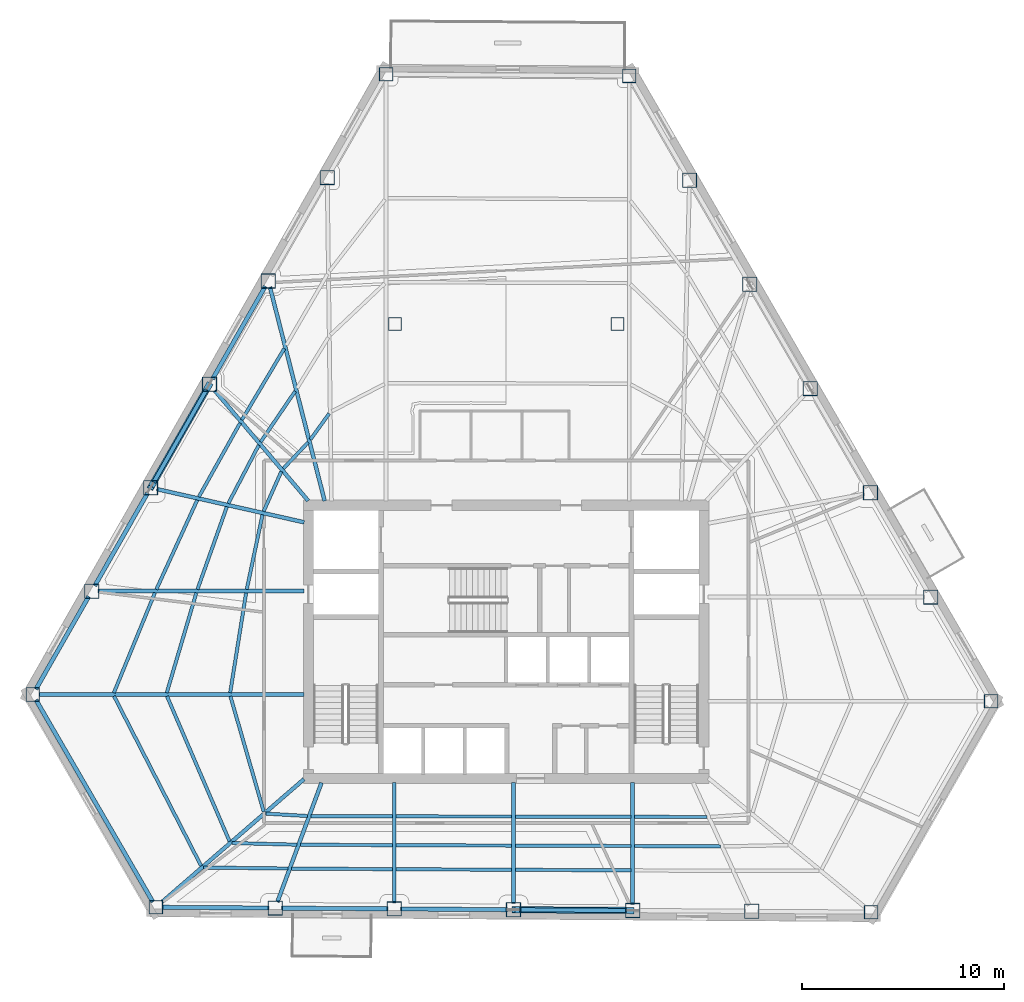
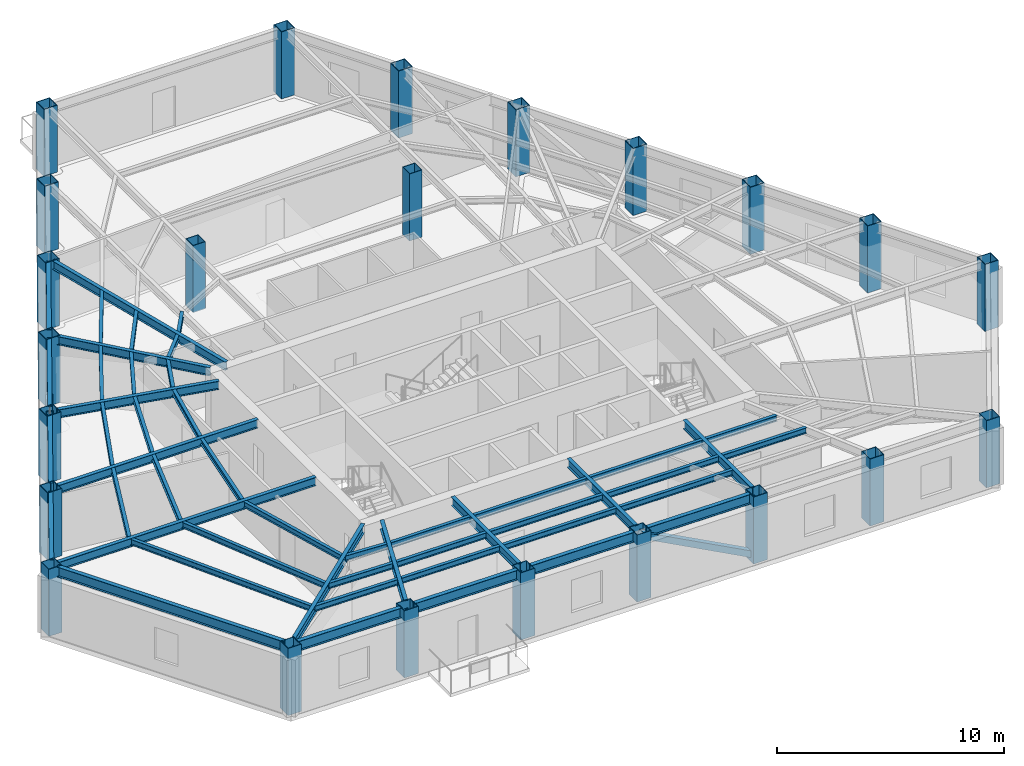
# One storey, part 1 of 9: 49 beams, 23 columns, 2 members.
"""IFC4 building model written with IfcOpenShell, lengths in metres."""

from ifc_helpers import new_model, si_unit, direction, frame, origin, origin_2d, place, context, subcontext, project, spatial, hollow_rectangle, i_section, extrude, material, material_profile, profile_set, type_object, element, save


model = new_model("IFC4")

# Units and contexts
model_context = context("Model", 3, precision=1e-05, world=origin(), true_north=direction((0.0, 1.0)))
body_context = subcontext(model_context, "Body", "Model", "MODEL_VIEW")
ifc_project = project(units=[si_unit("LENGTHUNIT", "METRE"), si_unit("AREAUNIT", "SQUARE_METRE"), si_unit("VOLUMEUNIT", "CUBIC_METRE"), si_unit("PLANEANGLEUNIT", "RADIAN"), si_unit("MASSUNIT", "GRAM", prefix="KILO")], contexts=[model_context])

# Site, building, storey
site_placement = place(None, origin())
site = spatial("IfcSite", under=ifc_project, at=site_placement, CompositionType="ELEMENT")
building_placement = place(site_placement, origin())
building = spatial("IfcBuilding", under=site, at=building_placement, Name="Kavelnor Concourse Tower", CompositionType="ELEMENT")
storey_placement = place(building_placement, frame((0.0, 0.0, 112.449951171875)))
storey = spatial("IfcBuildingStorey", under=building, at=storey_placement, Name="L28", CompositionType="ELEMENT", Elevation=112.449951171875)

# Columns
ifc_material = material(Name="Steel Grade 350", Category="steel")
ifc_material_profile_1 = material_profile(ifc_material, hollow_rectangle(XDim=0.679931640625, YDim=0.679931640625, WallThickness=0.030029296875, at=origin_2d()), Name="SHS 680x680x30")
ifc_profile_set_1 = profile_set([ifc_material_profile_1], Name="Steel Grade 350")
column_type_1 = type_object("IfcColumnType", Name="COL-FOLD-Z2", PredefinedType="COLUMN", material=ifc_profile_set_1)
for number, where, z_axis, x_axis, name in (
    (1, (32.068603515625, 44.144775390625, 0.0), (0.0, 0.0, 1.0), (1.0, 0.0, 0.0), "L28 Perimeter Corner-Fold Column F0-B0"),
    (2, (14.6142578125, 13.498046875, 0.0), (0.0, 0.0, 1.0), (1.0, 0.0, 0.0), "L28 Perimeter Corner-Fold Column F0-B6"),
    (3, (20.69677734375, 2.986083984375, 0.0), (0.0, 0.0, 1.0), (1.0, 0.0, 0.0), "L28 Perimeter Corner-Fold Column F1-B0"),
    (4, (56.02587890625, 2.744384765625, 0.0), (0.0, 0.0, 1.0), (1.0, 0.0, 0.0), "L28 Perimeter Corner-Fold Column F1-B6"),
    (5, (61.95947265625, 13.162841796875, 0.0), (0.0, 0.0, 1.0), (1.0, 0.0, 0.0), "L28 Perimeter Corner-Fold Column F2-B0"),
    (6, (44.080078125, 44.0625, 0.0), (0.0, 0.0, 1.0), (1.0, 0.0, 0.0), "L28 Perimeter Corner-Fold Column F2-B6"),
):
    element("IfcColumn", number, at=place(storey_placement, frame(where, z_axis=z_axis, x_axis=x_axis)), inside=storey, type_object=column_type_1, Name=name, PredefinedType="COLUMN", context=body_context, shape_type="SweptSolid", body=[
        extrude(hollow_rectangle(XDim=0.679931640625, YDim=0.679931640625, WallThickness=0.030029296875, at=origin_2d()), origin(), (0.0, 0.0, 1.0), 3.60009765625),
    ])
ifc_material_profile_2 = material_profile(ifc_material, hollow_rectangle(XDim=0.719970703125, YDim=0.719970703125, WallThickness=0.031982421875, at=origin_2d()), Name="SHS 720x720x32")
ifc_profile_set_2 = profile_set([ifc_material_profile_2], Name="Steel Grade 350")
column_type_2 = type_object("IfcColumnType", Name="COL-TUBE-Z2", PredefinedType="COLUMN", material=ifc_profile_set_2)
for number, where, z_axis, x_axis, name in (
    (7, (29.15966796875, 39.037109375, 0.0), (0.0, 0.0, 1.0), (1.0, 0.0, 0.0), "L28 Perimeter Framed-Tube Column F0-B1"),
    (8, (26.25048828125, 33.92919921875, 0.0), (0.0, 0.0, 1.0), (1.0, 0.0, 0.0), "L28 Perimeter Framed-Tube Column F0-B2"),
    (9, (23.341552734375, 28.8212890625, 0.0), (0.0, 0.0, 1.0), (1.0, 0.0, 0.0), "L28 Perimeter Framed-Tube Column F0-B3"),
    (10, (20.432373046875, 23.713623046875, 0.0), (0.0, 0.0, 1.0), (1.0, 0.0, 0.0), "L28 Perimeter Framed-Tube Column F0-B4"),
    (11, (17.5234375, 18.605712890625, 0.0), (0.0, 0.0, 1.0), (1.0, 0.0, 0.0), "L28 Perimeter Framed-Tube Column F0-B5"),
    (12, (26.5849609375, 2.94580078125, 0.0), (0.0, 0.0, 1.0), (1.0, 0.0, 0.0), "L28 Perimeter Framed-Tube Column F1-B1"),
    (13, (32.47314453125, 2.905517578125, 0.0), (0.0, 0.0, 1.0), (1.0, 0.0, 0.0), "L28 Perimeter Framed-Tube Column F1-B2"),
    (14, (38.361328125, 2.865234375, 0.0), (0.0, 0.0, 1.0), (1.0, 0.0, 0.0), "L28 Perimeter Framed-Tube Column F1-B3"),
    (15, (44.24951171875, 2.824951171875, 0.0), (0.0, 0.0, 1.0), (1.0, 0.0, 0.0), "L28 Perimeter Framed-Tube Column F1-B4"),
    (16, (50.1376953125, 2.78466796875, 0.0), (0.0, 0.0, 1.0), (1.0, 0.0, 0.0), "L28 Perimeter Framed-Tube Column F1-B5"),
    (17, (58.9794921875, 18.31298828125, 0.0), (0.0, 0.0, 1.0), (1.0, 0.0, 0.0), "L28 Perimeter Framed-Tube Column F2-B1"),
    (18, (55.999755859375, 23.462890625, 0.0), (0.0, 0.0, 1.0), (1.0, 0.0, 0.0), "L28 Perimeter Framed-Tube Column F2-B2"),
    (19, (53.019775390625, 28.61279296875, 0.0), (0.0, 0.0, 1.0), (1.0, 0.0, 0.0), "L28 Perimeter Framed-Tube Column F2-B3"),
    (20, (50.0400390625, 33.7626953125, 0.0), (0.0, 0.0, 1.0), (1.0, 0.0, 0.0), "L28 Perimeter Framed-Tube Column F2-B4"),
    (21, (47.06005859375, 38.91259765625, 0.0), (0.0, 0.0, 1.0), (1.0, 0.0, 0.0), "L28 Perimeter Framed-Tube Column F2-B5"),
):
    element("IfcColumn", number, at=place(storey_placement, frame(where, z_axis=z_axis, x_axis=x_axis)), inside=storey, type_object=column_type_2, Name=name, PredefinedType="COLUMN", context=body_context, shape_type="SweptSolid", body=[
        extrude(hollow_rectangle(XDim=0.719970703125, YDim=0.719970703125, WallThickness=0.031982421875, at=origin_2d()), origin(), (0.0, 0.0, 1.0), 3.60009765625),
    ])
ifc_material_profile_3 = material_profile(ifc_material, hollow_rectangle(XDim=0.639892578125, YDim=0.639892578125, WallThickness=0.028076171875, at=origin_2d()), Name="SHS 640x640x28")
ifc_profile_set_3 = profile_set([ifc_material_profile_3], Name="Steel Grade 350")
column_type_3 = type_object("IfcColumnType", Name="COL-TUBE-Z3", PredefinedType="COLUMN", material=ifc_profile_set_3)
for number, where, z_axis, x_axis, name in (
    (22, (32.5, 31.800048828125, 0.0), (0.0, 0.0, 1.0), (1.0, 0.0, 0.0), "L28 North Interior Gravity Column BC-NW"),
    (23, (43.5, 31.800048828125, 0.0), (0.0, 0.0, 1.0), (1.0, 0.0, 0.0), "L28 North Interior Gravity Column BC-NE"),
):
    element("IfcColumn", number, at=place(storey_placement, frame(where, z_axis=z_axis, x_axis=x_axis)), inside=storey, type_object=column_type_3, Name=name, PredefinedType="COLUMN", context=body_context, shape_type="SweptSolid", body=[
        extrude(hollow_rectangle(XDim=0.639892578125, YDim=0.639892578125, WallThickness=0.028076171875, at=origin_2d()), origin(), (0.0, 0.0, 1.0), 3.60009765625),
    ])

# Beams
ifc_material_profile_4 = material_profile(ifc_material, i_section(OverallWidth=0.166015625, OverallDepth=0.306884765625, WebThickness=0.006591796875, FlangeThickness=0.01171875, at=origin_2d()), Name="310UB46")
ifc_profile_set_4 = profile_set([ifc_material_profile_4], Name="Steel Grade 350")
beam_type_1 = type_object("IfcBeamType", Name="BM-JOIST-310", PredefinedType="JOIST", material=ifc_profile_set_4)
beam_1_placement = place(storey_placement, frame((24.375, 13.41259765625, 3.446533203125), z_axis=(0.277541337991, -0.960713696013, 0.0), x_axis=(0.960713696013, 0.277541337991, 0.0)))
element("IfcBeam", 24, at=beam_1_placement, inside=storey, type_object=beam_type_1, Name="L28 Secondary Composite Joist 01-1", PredefinedType="JOIST", context=body_context, shape_type="SweptSolid", body=[
    extrude(i_section(OverallWidth=0.166015625, OverallDepth=0.306884765625, WebThickness=0.006591796875, FlangeThickness=0.01171875, at=origin_2d()), origin(), (0.0, 0.0, 1.0), 5.94287109375),
])
beam_2_placement = place(storey_placement, frame((21.240234375, 13.416259765625, 3.446533203125), z_axis=(0.396008423947, -0.918246877568, 0.0), x_axis=(0.918246877568, 0.396008423947, 0.0)))
element("IfcBeam", 25, at=beam_2_placement, inside=storey, type_object=beam_type_1, Name="L28 Secondary Composite Joist 01-2", PredefinedType="JOIST", context=body_context, shape_type="SweptSolid", body=[
    extrude(i_section(OverallWidth=0.166015625, OverallDepth=0.306884765625, WebThickness=0.006591796875, FlangeThickness=0.01171875, at=origin_2d()), origin(), (0.0, 0.0, 1.0), 7.809814453125),
])
beam_3_placement = place(storey_placement, frame((18.62451171875, 13.418701171875, 3.446533203125), z_axis=(0.456378159677, -0.889785915471, 0.0), x_axis=(0.889785915471, 0.456378159677, 0.0)))
element("IfcBeam", 26, at=beam_3_placement, inside=storey, type_object=beam_type_1, Name="L28 Secondary Composite Joist 01-3", PredefinedType="JOIST", context=body_context, shape_type="SweptSolid", body=[
    extrude(i_section(OverallWidth=0.166015625, OverallDepth=0.306884765625, WebThickness=0.006591796875, FlangeThickness=0.01171875, at=origin_2d()), origin(), (0.0, 0.0, 1.0), 9.427490234375),
])
beam_4_placement = place(storey_placement, frame((26.137939453125, 7.612548828125, 3.446533203125), z_axis=(0.99830433041, -0.058210513519, 0.0), x_axis=(0.058210513519, 0.99830433041, 0.0)))
element("IfcBeam", 27, at=beam_4_placement, inside=storey, type_object=beam_type_1, Name="L28 Secondary Composite Joist 02-1", PredefinedType="JOIST", context=body_context, shape_type="SweptSolid", body=[
    extrude(i_section(OverallWidth=0.166015625, OverallDepth=0.306884765625, WebThickness=0.006591796875, FlangeThickness=0.01171875, at=origin_2d()), origin(), (0.0, 0.0, 1.0), 2.04248046875),
])
beam_5_placement = place(storey_placement, frame((24.457275390625, 6.160888671875, 3.446533203125), z_axis=(0.999659025649, -0.026111921391, 0.0), x_axis=(0.026111921391, 0.999659025649, 0.0)))
element("IfcBeam", 28, at=beam_5_placement, inside=storey, type_object=beam_type_1, Name="L28 Secondary Composite Joist 02-2", PredefinedType="JOIST", context=body_context, shape_type="SweptSolid", body=[
    extrude(i_section(OverallWidth=0.166015625, OverallDepth=0.306884765625, WebThickness=0.006591796875, FlangeThickness=0.01171875, at=origin_2d()), origin(), (0.0, 0.0, 1.0), 3.197509765625),
])
beam_6_placement = place(storey_placement, frame((23.056640625, 4.949951171875, 3.446533203125), z_axis=(0.999922661217, -0.012436703091, 0.0), x_axis=(0.012436703091, 0.999922661217, 0.0)))
element("IfcBeam", 29, at=beam_6_placement, inside=storey, type_object=beam_type_1, Name="L28 Secondary Composite Joist 02-3", PredefinedType="JOIST", context=body_context, shape_type="SweptSolid", body=[
    extrude(i_section(OverallWidth=0.166015625, OverallDepth=0.306884765625, WebThickness=0.006591796875, FlangeThickness=0.01171875, at=origin_2d()), origin(), (0.0, 0.0, 1.0), 4.16162109375),
])
beam_7_placement = place(storey_placement, frame((28.354736328125, 7.48828125, 3.446533203125), z_axis=(0.999997063317, -0.002423500911, 0.0), x_axis=(0.002423500911, 0.999997063317, 0.0)))
element("IfcBeam", 30, at=beam_7_placement, inside=storey, type_object=beam_type_1, Name="L28 Secondary Composite Joist 03-1", PredefinedType="JOIST", context=body_context, shape_type="SweptSolid", body=[
    extrude(i_section(OverallWidth=0.166015625, OverallDepth=0.306884765625, WebThickness=0.006591796875, FlangeThickness=0.01171875, at=origin_2d()), origin(), (0.0, 0.0, 1.0), 4.029541015625),
])
beam_8_placement = place(storey_placement, frame((27.831787109375, 6.07470703125, 3.446533203125), z_axis=(0.999990093921, -0.004451074049, 0.0), x_axis=(0.004451074049, 0.999990093921, 0.0)))
element("IfcBeam", 31, at=beam_8_placement, inside=storey, type_object=beam_type_1, Name="L28 Secondary Composite Joist 03-2", PredefinedType="JOIST", context=body_context, shape_type="SweptSolid", body=[
    extrude(i_section(OverallWidth=0.166015625, OverallDepth=0.306884765625, WebThickness=0.006591796875, FlangeThickness=0.01171875, at=origin_2d()), origin(), (0.0, 0.0, 1.0), 4.552490234375),
])
beam_9_placement = place(storey_placement, frame((27.39599609375, 4.896728515625, 3.446533203125), z_axis=(0.999983039794, -0.005824098558, 0.0), x_axis=(0.005824098558, 0.999983039794, 0.0)))
element("IfcBeam", 32, at=beam_9_placement, inside=storey, type_object=beam_type_1, Name="L28 Secondary Composite Joist 03-3", PredefinedType="JOIST", context=body_context, shape_type="SweptSolid", body=[
    extrude(i_section(OverallWidth=0.166015625, OverallDepth=0.306884765625, WebThickness=0.006591796875, FlangeThickness=0.01171875, at=origin_2d()), origin(), (0.0, 0.0, 1.0), 4.98828125),
])
for number, where, z_axis, x_axis, name in (
    (33, (32.562255859375, 7.478271484375, 3.446533203125), (0.999998149153, -0.001923977798, 0.0), (0.001923977798, 0.999998149153, 0.0), "L28 Secondary Composite Joist 04-1"),
    (34, (32.562255859375, 6.0537109375, 3.446533203125), (0.999993703506, -0.003548654384, 0.0), (0.003548654384, 0.999993703506, 0.0), "L28 Secondary Composite Joist 04-2"),
    (35, (32.562255859375, 4.86669921875, 3.446533203125), (0.999987912555, -0.004916781818, 0.0), (0.004916781818, 0.999987912555, 0.0), "L28 Secondary Composite Joist 04-3"),
):
    element("IfcBeam", number, at=place(storey_placement, frame(where, z_axis=z_axis, x_axis=x_axis)), inside=storey, type_object=beam_type_1, Name=name, PredefinedType="JOIST", context=body_context, shape_type="SweptSolid", body=[
        extrude(i_section(OverallWidth=0.166015625, OverallDepth=0.306884765625, WebThickness=0.006591796875, FlangeThickness=0.01171875, at=origin_2d()), origin(), (0.0, 0.0, 1.0), 5.710205078125),
    ])
for number, where, z_axis, x_axis, name in (
    (36, (38.450439453125, 7.466796875, 3.446533203125), (0.999998148995, -0.001924060061, 0.0), (0.001924060061, 0.999998148995, 0.0), "L28 Secondary Composite Joist 05-1"),
    (37, (38.450439453125, 6.03271484375, 3.446533203125), (0.999993702968, -0.003548806112, 0.0), (0.003548806112, 0.999993702968, 0.0), "L28 Secondary Composite Joist 05-2"),
    (38, (38.450439453125, 4.837646484375, 3.446533203125), (0.999987911522, -0.00491699204, 0.0), (0.00491699204, 0.999987911522, 0.0), "L28 Secondary Composite Joist 05-3"),
):
    element("IfcBeam", number, at=place(storey_placement, frame(where, z_axis=z_axis, x_axis=x_axis)), inside=storey, type_object=beam_type_1, Name=name, PredefinedType="JOIST", context=body_context, shape_type="SweptSolid", body=[
        extrude(i_section(OverallWidth=0.166015625, OverallDepth=0.306884765625, WebThickness=0.006591796875, FlangeThickness=0.01171875, at=origin_2d()), origin(), (0.0, 0.0, 1.0), 5.7099609375),
    ])
beam_10_placement = place(storey_placement, frame((44.33837890625, 7.45556640625, 3.446533203125), z_axis=(0.999993973532, -0.003471728567, 0.0), x_axis=(0.003471728567, 0.999993973532, 0.0)))
element("IfcBeam", 39, at=beam_10_placement, inside=storey, type_object=beam_type_1, Name="L28 Secondary Composite Joist 06-1", PredefinedType="JOIST", context=body_context, shape_type="SweptSolid", body=[
    extrude(i_section(OverallWidth=0.166015625, OverallDepth=0.306884765625, WebThickness=0.006591796875, FlangeThickness=0.01171875, at=origin_2d()), origin(), (0.0, 0.0, 1.0), 3.58642578125),
])
beam_11_placement = place(storey_placement, frame((44.33837890625, 6.01171875, 3.446533203125), z_axis=(0.999988896956, -0.00471232053, 0.0), x_axis=(0.00471232053, 0.999988896956, 0.0)))
element("IfcBeam", 40, at=beam_11_placement, inside=storey, type_object=beam_type_1, Name="L28 Secondary Composite Joist 06-2", PredefinedType="JOIST", context=body_context, shape_type="SweptSolid", body=[
    extrude(i_section(OverallWidth=0.166015625, OverallDepth=0.306884765625, WebThickness=0.006591796875, FlangeThickness=0.01171875, at=origin_2d()), origin(), (0.0, 0.0, 1.0), 4.248291015625),
])
beam_12_placement = place(storey_placement, frame((29.2548828125, 27.37744140625, 3.446533203125), z_axis=(-0.585439954123, -0.810715770241, 0.0), x_axis=(0.810715770241, -0.585439954123, 0.0)))
element("IfcBeam", 41, at=beam_12_placement, inside=storey, type_object=beam_type_1, Name="L28 Secondary Composite Joist 17-1", PredefinedType="JOIST", context=body_context, shape_type="SweptSolid", body=[
    extrude(i_section(OverallWidth=0.166015625, OverallDepth=0.306884765625, WebThickness=0.006591796875, FlangeThickness=0.01171875, at=origin_2d()), origin(), (0.0, 0.0, 1.0), 1.58544921875),
])
beam_13_placement = place(storey_placement, frame((28.21337890625, 25.955078125, 3.446533203125), z_axis=(-0.686848487013, -0.726800630082, 0.0), x_axis=(0.726800630082, -0.686848487013, 0.0)))
element("IfcBeam", 42, at=beam_13_placement, inside=storey, type_object=beam_type_1, Name="L28 Secondary Composite Joist 18-1", PredefinedType="JOIST", context=body_context, shape_type="SweptSolid", body=[
    extrude(i_section(OverallWidth=0.166015625, OverallDepth=0.306884765625, WebThickness=0.006591796875, FlangeThickness=0.01171875, at=origin_2d()), origin(), (0.0, 0.0, 1.0), 1.784423828125),
])
beam_14_placement = place(storey_placement, frame((27.57568359375, 28.482421875, 3.446533203125), z_axis=(-0.562362833705, -0.826890587241, 0.0), x_axis=(0.826890587241, -0.562362833705, 0.0)))
element("IfcBeam", 43, at=beam_14_placement, inside=storey, type_object=beam_type_1, Name="L28 Secondary Composite Joist 18-2", PredefinedType="JOIST", context=body_context, shape_type="SweptSolid", body=[
    extrude(i_section(OverallWidth=0.166015625, OverallDepth=0.306884765625, WebThickness=0.006591796875, FlangeThickness=0.01171875, at=origin_2d()), origin(), (0.0, 0.0, 1.0), 3.03466796875),
])
beam_15_placement = place(storey_placement, frame((27.039306640625, 30.5927734375, 3.446533203125), z_axis=(-0.511027887391, -0.859564132749, 0.0), x_axis=(0.859564132749, -0.511027887391, 0.0)))
element("IfcBeam", 44, at=beam_15_placement, inside=storey, type_object=beam_type_1, Name="L28 Secondary Composite Joist 18-3", PredefinedType="JOIST", context=body_context, shape_type="SweptSolid", body=[
    extrude(i_section(OverallWidth=0.166015625, OverallDepth=0.306884765625, WebThickness=0.006591796875, FlangeThickness=0.01171875, at=origin_2d()), origin(), (0.0, 0.0, 1.0), 4.104736328125),
])
beam_16_placement = place(storey_placement, frame((26.890380859375, 24.51220703125, 3.446533203125), z_axis=(-0.406780567752, -0.913525899852, 0.0), x_axis=(0.913525899852, -0.406780567752, 0.0)))
element("IfcBeam", 45, at=beam_16_placement, inside=storey, type_object=beam_type_1, Name="L28 Secondary Composite Joist 19-1", PredefinedType="JOIST", context=body_context, shape_type="SweptSolid", body=[
    extrude(i_section(OverallWidth=0.166015625, OverallDepth=0.306884765625, WebThickness=0.006591796875, FlangeThickness=0.01171875, at=origin_2d()), origin(), (0.0, 0.0, 1.0), 2.151611328125),
])
beam_17_placement = place(storey_placement, frame((25.77783203125, 25.82080078125, 3.446533203125), z_axis=(-0.463025095693, -0.886345170212, 0.0), x_axis=(0.886345170212, -0.463025095693, 0.0)))
element("IfcBeam", 46, at=beam_17_placement, inside=storey, type_object=beam_type_1, Name="L28 Secondary Composite Joist 19-2", PredefinedType="JOIST", context=body_context, shape_type="SweptSolid", body=[
    extrude(i_section(OverallWidth=0.166015625, OverallDepth=0.306884765625, WebThickness=0.006591796875, FlangeThickness=0.01171875, at=origin_2d()), origin(), (0.0, 0.0, 1.0), 3.252685546875),
])
beam_18_placement = place(storey_placement, frame((24.852783203125, 26.910400390625, 3.446533203125), z_axis=(-0.487533056643, -0.873104529069, 0.0), x_axis=(0.873104529069, -0.487533056643, 0.0)))
element("IfcBeam", 47, at=beam_18_placement, inside=storey, type_object=beam_type_1, Name="L28 Secondary Composite Joist 19-3", PredefinedType="JOIST", context=body_context, shape_type="SweptSolid", body=[
    extrude(i_section(OverallWidth=0.166015625, OverallDepth=0.306884765625, WebThickness=0.006591796875, FlangeThickness=0.01171875, at=origin_2d()), origin(), (0.0, 0.0, 1.0), 4.17578125),
])
beam_19_placement = place(storey_placement, frame((25.960693359375, 22.37841796875, 3.446533203125), z_axis=(-0.206376328476, -0.97847269305, 0.0), x_axis=(0.97847269305, -0.206376328476, 0.0)))
element("IfcBeam", 48, at=beam_19_placement, inside=storey, type_object=beam_type_1, Name="L28 Secondary Composite Joist 20-1", PredefinedType="JOIST", context=body_context, shape_type="SweptSolid", body=[
    extrude(i_section(OverallWidth=0.166015625, OverallDepth=0.306884765625, WebThickness=0.006591796875, FlangeThickness=0.01171875, at=origin_2d()), origin(), (0.0, 0.0, 1.0), 3.7666015625),
])
beam_20_placement = place(storey_placement, frame((24.20068359375, 22.77490234375, 3.446533203125), z_axis=(-0.335134076346, -0.942170446826, 0.0), x_axis=(0.942170446826, -0.335134076346, 0.0)))
element("IfcBeam", 49, at=beam_20_placement, inside=storey, type_object=beam_type_1, Name="L28 Secondary Composite Joist 20-2", PredefinedType="JOIST", context=body_context, shape_type="SweptSolid", body=[
    extrude(i_section(OverallWidth=0.166015625, OverallDepth=0.306884765625, WebThickness=0.006591796875, FlangeThickness=0.01171875, at=origin_2d()), origin(), (0.0, 0.0, 1.0), 4.3359375),
])
beam_21_placement = place(storey_placement, frame((22.736328125, 23.10595703125, 3.446533203125), z_axis=(-0.415853559073, -0.909431590284, 0.0), x_axis=(0.909431590284, -0.415853559073, 0.0)))
element("IfcBeam", 50, at=beam_21_placement, inside=storey, type_object=beam_type_1, Name="L28 Secondary Composite Joist 20-3", PredefinedType="JOIST", context=body_context, shape_type="SweptSolid", body=[
    extrude(i_section(OverallWidth=0.166015625, OverallDepth=0.306884765625, WebThickness=0.006591796875, FlangeThickness=0.01171875, at=origin_2d()), origin(), (0.0, 0.0, 1.0), 4.859375),
])
beam_22_placement = place(storey_placement, frame((25.15087890625, 18.517822265625, 3.446533203125), z_axis=(-0.157458539374, -0.987525598847, 0.0), x_axis=(0.987525598847, -0.157458539374, 0.0)))
element("IfcBeam", 51, at=beam_22_placement, inside=storey, type_object=beam_type_1, Name="L28 Secondary Composite Joist 21-1", PredefinedType="JOIST", context=body_context, shape_type="SweptSolid", body=[
    extrude(i_section(OverallWidth=0.166015625, OverallDepth=0.306884765625, WebThickness=0.006591796875, FlangeThickness=0.01171875, at=origin_2d()), origin(), (0.0, 0.0, 1.0), 4.994140625),
])
beam_23_placement = place(storey_placement, frame((22.6923828125, 18.5205078125, 3.446533203125), z_axis=(-0.283957567104, -0.958836847479, 0.0), x_axis=(0.958836847479, -0.283957567104, 0.0)))
element("IfcBeam", 52, at=beam_23_placement, inside=storey, type_object=beam_type_1, Name="L28 Secondary Composite Joist 21-2", PredefinedType="JOIST", context=body_context, shape_type="SweptSolid", body=[
    extrude(i_section(OverallWidth=0.166015625, OverallDepth=0.306884765625, WebThickness=0.006591796875, FlangeThickness=0.01171875, at=origin_2d()), origin(), (0.0, 0.0, 1.0), 5.149169921875),
])
beam_24_placement = place(storey_placement, frame((20.644775390625, 18.5234375, 3.446533203125), z_axis=(-0.379420958875, -0.925224154444, 0.0), x_axis=(0.925224154444, -0.379420958875, 0.0)))
element("IfcBeam", 53, at=beam_24_placement, inside=storey, type_object=beam_type_1, Name="L28 Secondary Composite Joist 21-3", PredefinedType="JOIST", context=body_context, shape_type="SweptSolid", body=[
    extrude(i_section(OverallWidth=0.166015625, OverallDepth=0.306884765625, WebThickness=0.006591796875, FlangeThickness=0.01171875, at=origin_2d()), origin(), (0.0, 0.0, 1.0), 5.342529296875),
])
ifc_material_profile_5 = material_profile(ifc_material, i_section(OverallWidth=0.18994140625, OverallDepth=0.4541015625, WebThickness=0.008544921875, FlangeThickness=0.0126953125, at=origin_2d()), Name="460UB67")
ifc_profile_set_5 = profile_set([ifc_material_profile_5], Name="Steel Grade 350")
beam_type_2 = type_object("IfcBeamType", Name="BM-PRIMARY-460", PredefinedType="BEAM", material=ifc_profile_set_5)
beam_25_placement = place(storey_placement, frame((29.03173828125, 23.061279296875, 3.373046875), z_axis=(-0.247919726596, 0.968780578441, 0.0), x_axis=(-0.968780578441, -0.247919726596, 0.0)))
element("IfcBeam", 54, at=beam_25_placement, inside=storey, type_object=beam_type_2, Name="L28 Primary Floor Girder F0-B2", PredefinedType="BEAM", context=body_context, shape_type="SweptSolid", body=[
    extrude(i_section(OverallWidth=0.18994140625, OverallDepth=0.4541015625, WebThickness=0.008544921875, FlangeThickness=0.0126953125, at=origin_2d()), origin(), (0.0, 0.0, 1.0), 10.9072265625),
])
beam_26_placement = place(storey_placement, frame((28.21875, 23.069580078125, 3.373046875), z_axis=(-0.646730255771, 0.762718805505, 0.0), x_axis=(-0.762718805505, -0.646730255771, 0.0)))
element("IfcBeam", 55, at=beam_26_placement, inside=storey, type_object=beam_type_2, Name="L28 Primary Floor Girder F0-B3", PredefinedType="BEAM", context=body_context, shape_type="SweptSolid", body=[
    extrude(i_section(OverallWidth=0.18994140625, OverallDepth=0.4541015625, WebThickness=0.008544921875, FlangeThickness=0.0126953125, at=origin_2d()), origin(), (0.0, 0.0, 1.0), 7.135498046875),
])
beam_27_placement = place(storey_placement, frame((28.01904296875, 22.00634765625, 3.373046875), z_axis=(-0.975598902903, 0.219560425973, 0.0), x_axis=(-0.219560425973, -0.975598902903, 0.0)))
element("IfcBeam", 56, at=beam_27_placement, inside=storey, type_object=beam_type_2, Name="L28 Primary Floor Girder F0-B4", PredefinedType="BEAM", context=body_context, shape_type="SweptSolid", body=[
    extrude(i_section(OverallWidth=0.18994140625, OverallDepth=0.4541015625, WebThickness=0.008544921875, FlangeThickness=0.0126953125, at=origin_2d()), origin(), (0.0, 0.0, 1.0), 7.4677734375),
])
beam_28_placement = place(storey_placement, frame((28.02001953125, 18.605712890625, 3.373046875), z_axis=(-1.0, 0.0, 0.0), x_axis=(0.0, -1.0, 0.0)))
element("IfcBeam", 57, at=beam_28_placement, inside=storey, type_object=beam_type_2, Name="L28 Primary Floor Girder F0-B5", PredefinedType="BEAM", context=body_context, shape_type="SweptSolid", body=[
    extrude(i_section(OverallWidth=0.18994140625, OverallDepth=0.4541015625, WebThickness=0.008544921875, FlangeThickness=0.0126953125, at=origin_2d()), origin(), (0.0, 0.0, 1.0), 10.196533203125),
])
beam_29_placement = place(storey_placement, frame((28.02001953125, 13.498046875, 3.373046875), z_axis=(-1.0, 0.0, 0.0), x_axis=(0.0, -1.0, 0.0)))
element("IfcBeam", 58, at=beam_29_placement, inside=storey, type_object=beam_type_2, Name="L28 Primary Floor Girder F0-B6", PredefinedType="BEAM", context=body_context, shape_type="SweptSolid", body=[
    extrude(i_section(OverallWidth=0.18994140625, OverallDepth=0.4541015625, WebThickness=0.008544921875, FlangeThickness=0.0126953125, at=origin_2d()), origin(), (0.0, 0.0, 1.0), 13.105712890625),
])
beam_30_placement = place(storey_placement, frame((28.01025390625, 9.314697265625, 3.373046875), z_axis=(-0.756172444895, -0.654372396714, 0.0), x_axis=(0.654372396714, -0.756172444895, 0.0)))
element("IfcBeam", 59, at=beam_30_placement, inside=storey, type_object=beam_type_2, Name="L28 Primary Floor Girder F1-B0", PredefinedType="BEAM", context=body_context, shape_type="SweptSolid", body=[
    extrude(i_section(OverallWidth=0.18994140625, OverallDepth=0.4541015625, WebThickness=0.008544921875, FlangeThickness=0.0126953125, at=origin_2d()), origin(), (0.0, 0.0, 1.0), 9.261962890625),
])
beam_31_placement = place(storey_placement, frame((28.8759765625, 9.137451171875, 3.373046875), z_axis=(-0.34700409403, -0.937863614139, 0.0), x_axis=(0.937863614139, -0.34700409403, 0.0)))
element("IfcBeam", 60, at=beam_31_placement, inside=storey, type_object=beam_type_2, Name="L28 Primary Floor Girder F1-B1", PredefinedType="BEAM", context=body_context, shape_type="SweptSolid", body=[
    extrude(i_section(OverallWidth=0.18994140625, OverallDepth=0.4541015625, WebThickness=0.008544921875, FlangeThickness=0.0126953125, at=origin_2d()), origin(), (0.0, 0.0, 1.0), 6.279296875),
])
beam_32_placement = place(storey_placement, frame((32.47314453125, 9.139892578125, 3.373046875), z_axis=(0.0, -1.0, 0.0), x_axis=(1.0, 0.0, 0.0)))
element("IfcBeam", 61, at=beam_32_placement, inside=storey, type_object=beam_type_2, Name="L28 Primary Floor Girder F1-B2", PredefinedType="BEAM", context=body_context, shape_type="SweptSolid", body=[
    extrude(i_section(OverallWidth=0.18994140625, OverallDepth=0.4541015625, WebThickness=0.008544921875, FlangeThickness=0.0126953125, at=origin_2d()), origin(), (0.0, 0.0, 1.0), 5.934326171875),
])
beam_33_placement = place(storey_placement, frame((38.361328125, 9.139892578125, 3.373046875), z_axis=(0.0, -1.0, 0.0), x_axis=(1.0, 0.0, 0.0)))
element("IfcBeam", 62, at=beam_33_placement, inside=storey, type_object=beam_type_2, Name="L28 Primary Floor Girder F1-B3", PredefinedType="BEAM", context=body_context, shape_type="SweptSolid", body=[
    extrude(i_section(OverallWidth=0.18994140625, OverallDepth=0.4541015625, WebThickness=0.008544921875, FlangeThickness=0.0126953125, at=origin_2d()), origin(), (0.0, 0.0, 1.0), 5.974609375),
])
beam_34_placement = place(storey_placement, frame((44.24951171875, 9.139892578125, 3.373046875), z_axis=(0.0, -1.0, 0.0), x_axis=(1.0, 0.0, 0.0)))
element("IfcBeam", 63, at=beam_34_placement, inside=storey, type_object=beam_type_2, Name="L28 Primary Floor Girder F1-B4", PredefinedType="BEAM", context=body_context, shape_type="SweptSolid", body=[
    extrude(i_section(OverallWidth=0.18994140625, OverallDepth=0.4541015625, WebThickness=0.008544921875, FlangeThickness=0.0126953125, at=origin_2d()), origin(), (0.0, 0.0, 1.0), 6.014892578125),
])
ifc_material_profile_6 = material_profile(ifc_material, i_section(OverallWidth=0.208984375, OverallDepth=0.532958984375, WebThickness=0.01025390625, FlangeThickness=0.015625, at=origin_2d()), Name="530UB92")
ifc_profile_set_6 = profile_set([ifc_material_profile_6], Name="Steel Grade 350")
beam_type_3 = type_object("IfcBeamType", Name="BM-SPANDREL-Z2", PredefinedType="SPANDREL", material=ifc_profile_set_6)
for number, where, z_axis, x_axis, name in (
    (64, (26.099609375, 33.664306640625, 3.33349609375), (-0.494885763236, -0.86895804349, 0.0), (0.86895804349, -0.494885763236, 0.0), "L28 Perimeter Tube Spandrel Beam F0-B2"),
    (65, (23.190673828125, 28.556396484375, 3.33349609375), (-0.494920754292, -0.868938114581, 0.0), (0.868938114581, -0.494920754292, 0.0), "L28 Perimeter Tube Spandrel Beam F0-B3"),
):
    element("IfcBeam", number, at=place(storey_placement, frame(where, z_axis=z_axis, x_axis=x_axis)), inside=storey, type_object=beam_type_3, Name=name, PredefinedType="SPANDREL", context=body_context, shape_type="SweptSolid", body=[
        extrude(i_section(OverallWidth=0.208984375, OverallDepth=0.532958984375, WebThickness=0.01025390625, FlangeThickness=0.015625, at=origin_2d()), origin(), (0.0, 0.0, 1.0), 5.268310546875),
    ])
beam_35_placement = place(storey_placement, frame((20.281494140625, 23.448486328125, 3.33349609375), z_axis=(-0.49490569257, -0.868946693107, 0.0), x_axis=(0.868946693107, -0.49490569257, 0.0)))
element("IfcBeam", 66, at=beam_35_placement, inside=storey, type_object=beam_type_3, Name="L28 Perimeter Tube Spandrel Beam F0-B4", PredefinedType="SPANDREL", context=body_context, shape_type="SweptSolid", body=[
    extrude(i_section(OverallWidth=0.208984375, OverallDepth=0.532958984375, WebThickness=0.01025390625, FlangeThickness=0.015625, at=origin_2d()), origin(), (0.0, 0.0, 1.0), 5.26806640625),
])
beam_36_placement = place(storey_placement, frame((17.37255859375, 18.3408203125, 3.33349609375), z_axis=(-0.494920754292, -0.868938114581, 0.0), x_axis=(0.868938114581, -0.494920754292, 0.0)))
element("IfcBeam", 67, at=beam_36_placement, inside=storey, type_object=beam_type_3, Name="L28 Perimeter Tube Spandrel Beam F0-B5", PredefinedType="SPANDREL", context=body_context, shape_type="SweptSolid", body=[
    extrude(i_section(OverallWidth=0.208984375, OverallDepth=0.532958984375, WebThickness=0.01025390625, FlangeThickness=0.015625, at=origin_2d()), origin(), (0.0, 0.0, 1.0), 5.268310546875),
])
beam_37_placement = place(storey_placement, frame((21.001708984375, 2.98388671875, 3.33349609375), z_axis=(0.999976570297, -0.006845353025, 0.0), x_axis=(0.006845353025, 0.999976570297, 0.0)))
element("IfcBeam", 68, at=beam_37_placement, inside=storey, type_object=beam_type_3, Name="L28 Perimeter Tube Spandrel Beam F1-B0", PredefinedType="SPANDREL", context=body_context, shape_type="SweptSolid", body=[
    extrude(i_section(OverallWidth=0.208984375, OverallDepth=0.532958984375, WebThickness=0.01025390625, FlangeThickness=0.015625, at=origin_2d()), origin(), (0.0, 0.0, 1.0), 5.278564453125),
])
for number, where, z_axis, x_axis, name in (
    (69, (26.889892578125, 2.943603515625, 3.33349609375), (0.999976885834, -0.006799102785, 0.0), (0.006799102785, 0.999976885834, 0.0), "L28 Perimeter Tube Spandrel Beam F1-B1"),
    (70, (32.7783203125, 2.9033203125, 3.33349609375), (0.999976568129, -0.006845669646, 0.0), (0.006845669646, 0.999976568129, 0.0), "L28 Perimeter Tube Spandrel Beam F1-B2"),
    (71, (38.66650390625, 2.863037109375, 3.33349609375), (0.999976568129, -0.006845669646, 0.0), (0.006845669646, 0.999976568129, 0.0), "L28 Perimeter Tube Spandrel Beam F1-B3"),
):
    element("IfcBeam", number, at=place(storey_placement, frame(where, z_axis=z_axis, x_axis=x_axis)), inside=storey, type_object=beam_type_3, Name=name, PredefinedType="SPANDREL", context=body_context, shape_type="SweptSolid", body=[
        extrude(i_section(OverallWidth=0.208984375, OverallDepth=0.532958984375, WebThickness=0.01025390625, FlangeThickness=0.015625, at=origin_2d()), origin(), (0.0, 0.0, 1.0), 5.2783203125),
    ])
beam_38_placement = place(storey_placement, frame((14.76708984375, 13.23388671875, 3.33349609375), z_axis=(0.500822666198, -0.865549915962, 0.0), x_axis=(0.865549915962, 0.500822666198, 0.0)))
element("IfcBeam", 72, at=beam_38_placement, inside=storey, type_object=beam_type_3, Name="L28 Chamfer Facet Spandrel Beam C1", PredefinedType="SPANDREL", context=body_context, shape_type="SweptSolid", body=[
    extrude(i_section(OverallWidth=0.208984375, OverallDepth=0.532958984375, WebThickness=0.01025390625, FlangeThickness=0.015625, at=origin_2d()), origin(), (0.0, 0.0, 1.0), 11.53466796875),
])

# Members
ifc_material_profile_7 = material_profile(ifc_material, hollow_rectangle(XDim=0.320068359375, YDim=0.320068359375, WallThickness=0.01806640625, at=origin_2d()), Name="SHS 320x320x18")
ifc_profile_set_7 = profile_set([ifc_material_profile_7], Name="Steel Grade 350")
member_type = type_object("IfcMemberType", Name="MBR-TUBE-DIAG-Z2", PredefinedType="BRACE", material=ifc_profile_set_7)
member_1_placement = place(storey_placement, frame((23.341552734375, 28.8212890625, 0.219970703125), z_axis=(-0.43735632258, -0.767869387772, 0.468076970616), x_axis=(0.868937508733, -0.494921817985, 0.0)))
element("IfcMember", 73, at=member_1_placement, inside=storey, type_object=member_type, Name="L28 Framed-Tube Bracing Diagonal F0-B3", PredefinedType="BRACE", context=body_context, shape_type="SweptSolid", body=[
    extrude(hollow_rectangle(XDim=0.320068359375, YDim=0.320068359375, WallThickness=0.01806640625, at=origin_2d()), origin(), (0.0, 0.0, 1.0), 6.65185546875),
])
member_2_placement = place(storey_placement, frame((44.24951171875, 2.824951171875, 0.219970703125), z_axis=(-0.884004343199, 0.006047794868, 0.467439563348), x_axis=(-0.0068412032, -0.999976598696, 0.0)))
element("IfcMember", 74, at=member_2_placement, inside=storey, type_object=member_type, Name="L28 Framed-Tube Bracing Diagonal F1-B3", PredefinedType="BRACE", context=body_context, shape_type="SweptSolid", body=[
    extrude(hollow_rectangle(XDim=0.320068359375, YDim=0.320068359375, WallThickness=0.01806640625, at=origin_2d()), origin(), (0.0, 0.0, 1.0), 6.660888671875),
])

save(model, "model.ifc")
